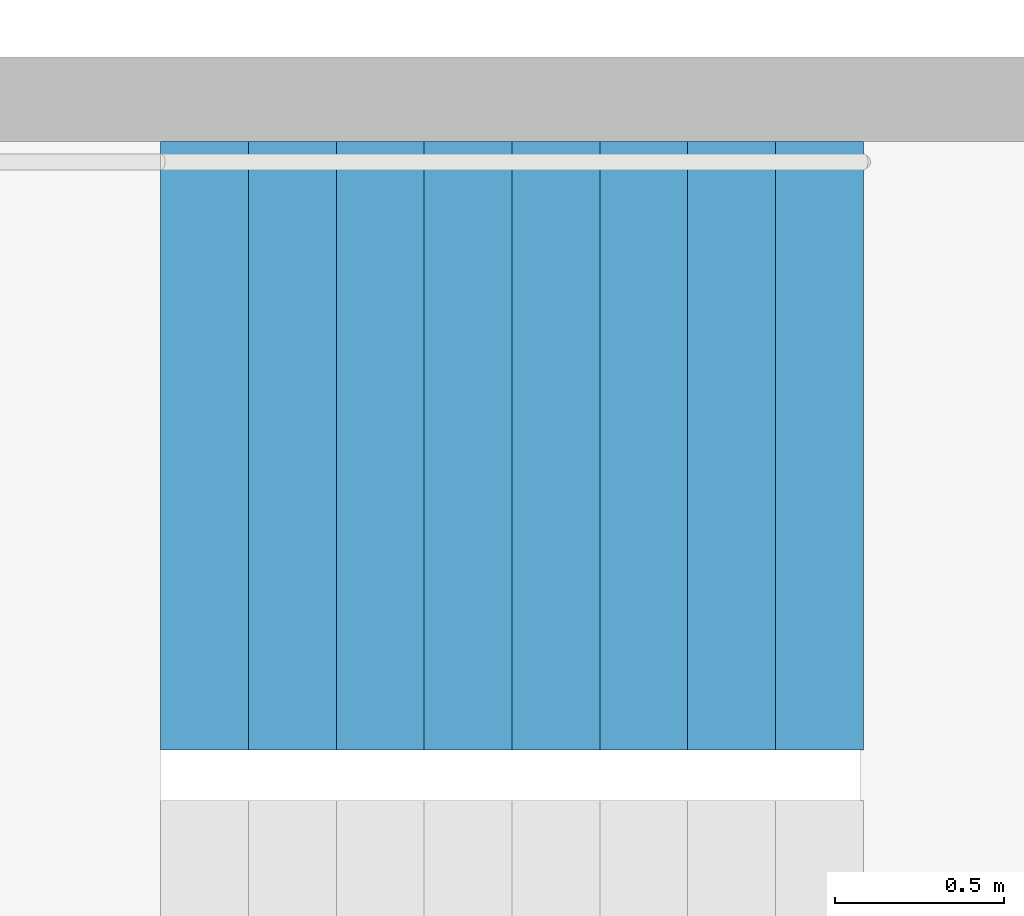
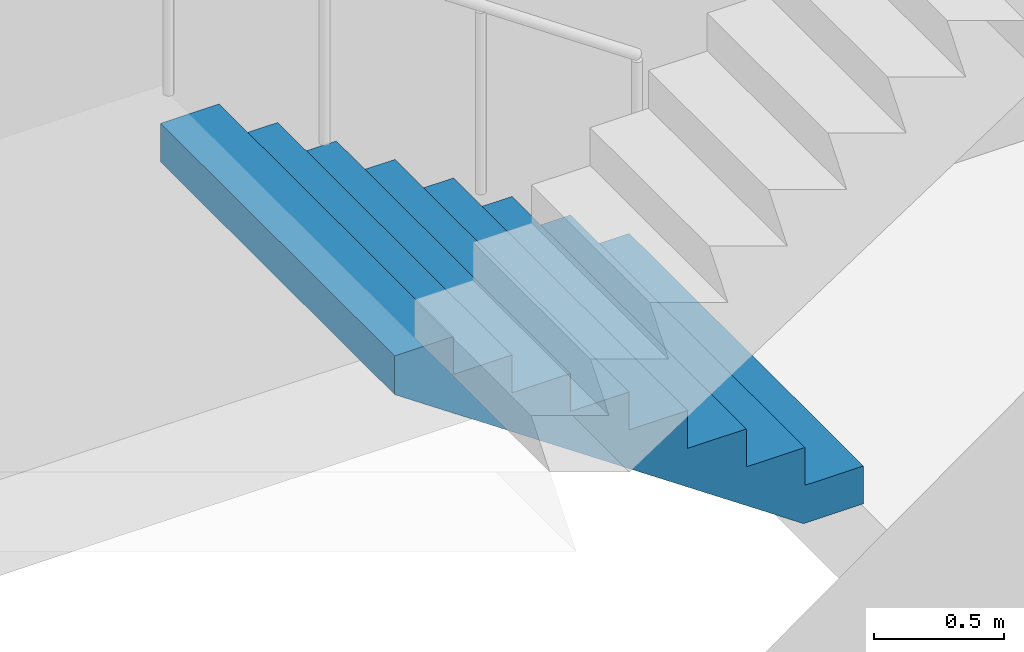
# One storey, part 20 of 27: 1 stair flight, 1 element without a shape of its own.
"""IFC4 building model written with IfcOpenShell, lengths in metres."""

from ifc_helpers import new_model, si_unit, direction, frame, origin, place, context, subcontext, project, spatial, triangles, material, type_object, element, aggregate, save


model = new_model("IFC4")

# Units and contexts
model_context = context("Model", 3, precision=1e-05, world=origin(), true_north=direction((0.0, 1.0)))
body_context = subcontext(model_context, "Body", "Model", "MODEL_VIEW")
ifc_project = project(units=[si_unit("LENGTHUNIT", "METRE"), si_unit("AREAUNIT", "SQUARE_METRE"), si_unit("VOLUMEUNIT", "CUBIC_METRE"), si_unit("PLANEANGLEUNIT", "RADIAN"), si_unit("MASSUNIT", "GRAM", prefix="KILO")], contexts=[model_context])

# Site, building, storey
site_placement = place(None, origin())
site = spatial("IfcSite", under=ifc_project, at=site_placement, CompositionType="ELEMENT")
building_placement = place(site_placement, origin())
building = spatial("IfcBuilding", under=site, at=building_placement, Name="Hakoniwa Tower and Hamabe Station Hall", CompositionType="ELEMENT")
storey_placement = place(building_placement, frame((0.0, 0.0, 242.199951171875)))
storey = spatial("IfcBuildingStorey", under=building, at=storey_placement, Name="L68", CompositionType="ELEMENT", Elevation=242.199951171875)

# Stair, stair flight
ifc_material_1 = material(Name="Concrete C40", Category="concrete")
stair_type = type_object("IfcStairType", Name="ESCAPE STAIR 1800", PredefinedType="HALF_TURN_STAIR", material=ifc_material_1)
stair_placement = place(storey_placement, origin())
stair = element("IfcStair", 1, at=stair_placement, inside=storey, type_object=stair_type, Name="Escape stair ST-2 L68", PredefinedType="HALF_TURN_STAIR")
ifc_material_2 = material(Name="Concrete C40", Category="concrete")
stair_flight_type = type_object("IfcStairFlightType", Name="STAIR FLIGHT 1800", PredefinedType="STRAIGHT", material=ifc_material_2)
stair_flight_placement = place(storey_placement, frame((-23.39990234375, -4.64990234375, 0.0), z_axis=(0.0, 0.0, 1.0), x_axis=(-1.0, 0.0, 0.0)))
stair_flight = element("IfcStairFlight", 2, at=stair_flight_placement, type_object=stair_flight_type, Name="ST-2 flight 1", NumberOfRisers=9, NumberOfTreads=8, PredefinedType="STRAIGHT", RiserHeight=0.177777778, TreadLength=0.26, context=body_context, shape_type="Tessellation", body=[
    triangles([(0.0, 0.89990234375, 0.0), (0.260009765625, 0.89990234375, 0.0), (0.265625, 0.89990234375, 0.0), (0.52001953125, 0.89990234375, 0.174072265625), (0.780029296875, 0.89990234375, 0.351806640625), (1.0400390625, 0.89990234375, 0.529541015625), (1.300048828125, 0.89990234375, 0.707275390625), (1.56005859375, 0.89990234375, 0.885009765625), (1.820068359375, 0.89990234375, 1.062744140625), (2.080078125, 0.89990234375, 1.24072265625), (2.080078125, 0.89990234375, 1.422119140625), (1.820068359375, 0.89990234375, 1.422119140625), (1.820068359375, 0.89990234375, 1.244384765625), (1.56005859375, 0.89990234375, 1.244384765625), (1.56005859375, 0.89990234375, 1.066650390625), (1.300048828125, 0.89990234375, 1.066650390625), (1.300048828125, 0.89990234375, 0.888916015625), (1.0400390625, 0.89990234375, 0.888916015625), (1.0400390625, 0.89990234375, 0.711181640625), (0.780029296875, 0.89990234375, 0.711181640625), (0.780029296875, 0.89990234375, 0.533447265625), (0.52001953125, 0.89990234375, 0.533447265625), (0.52001953125, 0.89990234375, 0.35546875), (0.265625, 0.89990234375, 0.35546875), (0.260009765625, 0.89990234375, 0.35546875), (0.260009765625, 0.89990234375, 0.177734375), (0.0, 0.89990234375, 0.177734375), (0.0, 0.06005859375, 0.0), (0.260009765625, 0.06005859375, 0.0), (0.265625, 0.06005859375, 0.0), (0.52001953125, 0.06005859375, 0.174072265625), (0.780029296875, 0.06005859375, 0.351806640625), (1.0400390625, 0.06005859375, 0.529541015625), (1.300048828125, 0.06005859375, 0.707275390625), (1.56005859375, 0.06005859375, 0.885009765625), (1.820068359375, 0.06005859375, 1.062744140625), (2.080078125, 0.06005859375, 1.24072265625), (2.080078125, 0.06005859375, 1.422119140625), (1.820068359375, 0.06005859375, 1.422119140625), (1.820068359375, 0.06005859375, 1.244384765625), (1.56005859375, 0.06005859375, 1.244384765625), (1.56005859375, 0.06005859375, 1.066650390625), (1.300048828125, 0.06005859375, 1.066650390625), (1.300048828125, 0.06005859375, 0.888916015625), (1.0400390625, 0.06005859375, 0.888916015625), (1.0400390625, 0.06005859375, 0.711181640625), (0.780029296875, 0.06005859375, 0.711181640625), (0.780029296875, 0.06005859375, 0.533447265625), (0.52001953125, 0.06005859375, 0.533447265625), (0.52001953125, 0.06005859375, 0.35546875), (0.265625, 0.06005859375, 0.35546875), (0.260009765625, 0.06005859375, 0.35546875), (0.260009765625, 0.06005859375, 0.177734375), (0.0, 0.06005859375, 0.177734375), (0.0, 0.04296875, 0.0), (0.260009765625, 0.04296875, 0.0), (0.265625, 0.04296875, 0.0), (0.52001953125, 0.04296875, 0.174072265625), (0.780029296875, 0.04296875, 0.351806640625), (1.0400390625, 0.04296875, 0.529541015625), (1.300048828125, 0.04296875, 0.707275390625), (1.56005859375, 0.04296875, 0.885009765625), (1.820068359375, 0.04296875, 1.062744140625), (2.080078125, 0.04296875, 1.24072265625), (2.080078125, 0.04296875, 1.422119140625), (1.820068359375, 0.04296875, 1.422119140625), (1.820068359375, 0.04296875, 1.244384765625), (1.56005859375, 0.04296875, 1.244384765625), (1.56005859375, 0.04296875, 1.066650390625), (1.300048828125, 0.04296875, 1.066650390625), (1.300048828125, 0.04296875, 0.888916015625), (1.0400390625, 0.04296875, 0.888916015625), (1.0400390625, 0.04296875, 0.711181640625), (0.780029296875, 0.04296875, 0.711181640625), (0.780029296875, 0.04296875, 0.533447265625), (0.52001953125, 0.04296875, 0.533447265625), (0.52001953125, 0.04296875, 0.35546875), (0.265625, 0.04296875, 0.35546875), (0.260009765625, 0.04296875, 0.35546875), (0.260009765625, 0.04296875, 0.177734375), (0.0, 0.04296875, 0.177734375), (0.0, 0.025634765625, 0.0), (0.260009765625, 0.025634765625, 0.0), (0.265625, 0.025634765625, 0.0), (0.52001953125, 0.025634765625, 0.174072265625), (0.780029296875, 0.025634765625, 0.351806640625), (1.0400390625, 0.025634765625, 0.529541015625), (1.300048828125, 0.025634765625, 0.707275390625), (1.56005859375, 0.025634765625, 0.885009765625), (1.820068359375, 0.025634765625, 1.062744140625), (2.080078125, 0.025634765625, 1.24072265625), (2.080078125, 0.025634765625, 1.422119140625), (1.820068359375, 0.025634765625, 1.422119140625), (1.820068359375, 0.025634765625, 1.244384765625), (1.56005859375, 0.025634765625, 1.244384765625), (1.56005859375, 0.025634765625, 1.066650390625), (1.300048828125, 0.025634765625, 1.066650390625), (1.300048828125, 0.025634765625, 0.888916015625), (1.0400390625, 0.025634765625, 0.888916015625), (1.0400390625, 0.025634765625, 0.711181640625), (0.780029296875, 0.025634765625, 0.711181640625), (0.780029296875, 0.025634765625, 0.533447265625), (0.52001953125, 0.025634765625, 0.533447265625), (0.52001953125, 0.025634765625, 0.35546875), (0.265625, 0.025634765625, 0.35546875), (0.260009765625, 0.025634765625, 0.35546875), (0.260009765625, 0.025634765625, 0.177734375), (0.0, 0.025634765625, 0.177734375), (0.0, 0.008544921875, 0.0), (0.260009765625, 0.008544921875, 0.0), (0.265625, 0.008544921875, 0.0), (0.52001953125, 0.008544921875, 0.174072265625), (0.780029296875, 0.008544921875, 0.351806640625), (1.0400390625, 0.008544921875, 0.529541015625), (1.300048828125, 0.008544921875, 0.707275390625), (1.56005859375, 0.008544921875, 0.885009765625), (1.820068359375, 0.008544921875, 1.062744140625), (2.080078125, 0.008544921875, 1.24072265625), (2.080078125, 0.008544921875, 1.422119140625), (1.820068359375, 0.008544921875, 1.422119140625), (1.820068359375, 0.008544921875, 1.244384765625), (1.56005859375, 0.008544921875, 1.244384765625), (1.56005859375, 0.008544921875, 1.066650390625), (1.300048828125, 0.008544921875, 1.066650390625), (1.300048828125, 0.008544921875, 0.888916015625), (1.0400390625, 0.008544921875, 0.888916015625), (1.0400390625, 0.008544921875, 0.711181640625), (0.780029296875, 0.008544921875, 0.711181640625), (0.780029296875, 0.008544921875, 0.533447265625), (0.52001953125, 0.008544921875, 0.533447265625), (0.52001953125, 0.008544921875, 0.35546875), (0.265625, 0.008544921875, 0.35546875), (0.260009765625, 0.008544921875, 0.35546875), (0.260009765625, 0.008544921875, 0.177734375), (0.0, 0.008544921875, 0.177734375), (0.0, -0.008544921875, 0.0), (0.260009765625, -0.008544921875, 0.0), (0.265625, -0.008544921875, 0.0), (0.52001953125, -0.008544921875, 0.174072265625), (0.780029296875, -0.008544921875, 0.351806640625), (1.0400390625, -0.008544921875, 0.529541015625), (1.300048828125, -0.008544921875, 0.707275390625), (1.56005859375, -0.008544921875, 0.885009765625), (1.820068359375, -0.008544921875, 1.062744140625), (2.080078125, -0.008544921875, 1.24072265625), (2.080078125, -0.008544921875, 1.422119140625), (1.820068359375, -0.008544921875, 1.422119140625), (1.820068359375, -0.008544921875, 1.244384765625), (1.56005859375, -0.008544921875, 1.244384765625), (1.56005859375, -0.008544921875, 1.066650390625), (1.300048828125, -0.008544921875, 1.066650390625), (1.300048828125, -0.008544921875, 0.888916015625), (1.0400390625, -0.008544921875, 0.888916015625), (1.0400390625, -0.008544921875, 0.711181640625), (0.780029296875, -0.008544921875, 0.711181640625), (0.780029296875, -0.008544921875, 0.533447265625), (0.52001953125, -0.008544921875, 0.533447265625), (0.52001953125, -0.008544921875, 0.35546875), (0.265625, -0.008544921875, 0.35546875), (0.260009765625, -0.008544921875, 0.35546875), (0.260009765625, -0.008544921875, 0.177734375), (0.0, -0.008544921875, 0.177734375), (0.0, -0.025634765625, 0.0), (0.260009765625, -0.025634765625, 0.0), (0.265625, -0.025634765625, 0.0), (0.52001953125, -0.025634765625, 0.174072265625), (0.780029296875, -0.025634765625, 0.351806640625), (1.0400390625, -0.025634765625, 0.529541015625), (1.300048828125, -0.025634765625, 0.707275390625), (1.56005859375, -0.025634765625, 0.885009765625), (1.820068359375, -0.025634765625, 1.062744140625), (2.080078125, -0.025634765625, 1.24072265625), (2.080078125, -0.025634765625, 1.422119140625), (1.820068359375, -0.025634765625, 1.422119140625), (1.820068359375, -0.025634765625, 1.244384765625), (1.56005859375, -0.025634765625, 1.244384765625), (1.56005859375, -0.025634765625, 1.066650390625), (1.300048828125, -0.025634765625, 1.066650390625), (1.300048828125, -0.025634765625, 0.888916015625), (1.0400390625, -0.025634765625, 0.888916015625), (1.0400390625, -0.025634765625, 0.711181640625), (0.780029296875, -0.025634765625, 0.711181640625), (0.780029296875, -0.025634765625, 0.533447265625), (0.52001953125, -0.025634765625, 0.533447265625), (0.52001953125, -0.025634765625, 0.35546875), (0.265625, -0.025634765625, 0.35546875), (0.260009765625, -0.025634765625, 0.35546875), (0.260009765625, -0.025634765625, 0.177734375), (0.0, -0.025634765625, 0.177734375), (0.0, -0.04296875, 0.0), (0.260009765625, -0.04296875, 0.0), (0.265625, -0.04296875, 0.0), (0.52001953125, -0.04296875, 0.174072265625), (0.780029296875, -0.04296875, 0.351806640625), (1.0400390625, -0.04296875, 0.529541015625), (1.300048828125, -0.04296875, 0.707275390625), (1.56005859375, -0.04296875, 0.885009765625), (1.820068359375, -0.04296875, 1.062744140625), (2.080078125, -0.04296875, 1.24072265625), (2.080078125, -0.04296875, 1.422119140625), (1.820068359375, -0.04296875, 1.422119140625), (1.820068359375, -0.04296875, 1.244384765625), (1.56005859375, -0.04296875, 1.244384765625), (1.56005859375, -0.04296875, 1.066650390625), (1.300048828125, -0.04296875, 1.066650390625), (1.300048828125, -0.04296875, 0.888916015625), (1.0400390625, -0.04296875, 0.888916015625), (1.0400390625, -0.04296875, 0.711181640625), (0.780029296875, -0.04296875, 0.711181640625), (0.780029296875, -0.04296875, 0.533447265625), (0.52001953125, -0.04296875, 0.533447265625), (0.52001953125, -0.04296875, 0.35546875), (0.265625, -0.04296875, 0.35546875), (0.260009765625, -0.04296875, 0.35546875), (0.260009765625, -0.04296875, 0.177734375), (0.0, -0.04296875, 0.177734375), (0.0, -0.06005859375, 0.0), (0.260009765625, -0.06005859375, 0.0), (0.265625, -0.06005859375, 0.0), (0.52001953125, -0.06005859375, 0.174072265625), (0.780029296875, -0.06005859375, 0.351806640625), (1.0400390625, -0.06005859375, 0.529541015625), (1.300048828125, -0.06005859375, 0.707275390625), (1.56005859375, -0.06005859375, 0.885009765625), (1.820068359375, -0.06005859375, 1.062744140625), (2.080078125, -0.06005859375, 1.24072265625), (2.080078125, -0.06005859375, 1.422119140625), (1.820068359375, -0.06005859375, 1.422119140625), (1.820068359375, -0.06005859375, 1.244384765625), (1.56005859375, -0.06005859375, 1.244384765625), (1.56005859375, -0.06005859375, 1.066650390625), (1.300048828125, -0.06005859375, 1.066650390625), (1.300048828125, -0.06005859375, 0.888916015625), (1.0400390625, -0.06005859375, 0.888916015625), (1.0400390625, -0.06005859375, 0.711181640625), (0.780029296875, -0.06005859375, 0.711181640625), (0.780029296875, -0.06005859375, 0.533447265625), (0.52001953125, -0.06005859375, 0.533447265625), (0.52001953125, -0.06005859375, 0.35546875), (0.265625, -0.06005859375, 0.35546875), (0.260009765625, -0.06005859375, 0.35546875), (0.260009765625, -0.06005859375, 0.177734375), (0.0, -0.06005859375, 0.177734375), (0.0, -0.89990234375, 0.0), (0.260009765625, -0.89990234375, 0.0), (0.265625, -0.89990234375, 0.0), (0.52001953125, -0.89990234375, 0.174072265625), (0.780029296875, -0.89990234375, 0.351806640625), (1.0400390625, -0.89990234375, 0.529541015625), (1.300048828125, -0.89990234375, 0.707275390625), (1.56005859375, -0.89990234375, 0.885009765625), (1.820068359375, -0.89990234375, 1.062744140625), (2.080078125, -0.89990234375, 1.24072265625), (2.080078125, -0.89990234375, 1.422119140625), (1.820068359375, -0.89990234375, 1.422119140625), (1.820068359375, -0.89990234375, 1.244384765625), (1.56005859375, -0.89990234375, 1.244384765625), (1.56005859375, -0.89990234375, 1.066650390625), (1.300048828125, -0.89990234375, 1.066650390625), (1.300048828125, -0.89990234375, 0.888916015625), (1.0400390625, -0.89990234375, 0.888916015625), (1.0400390625, -0.89990234375, 0.711181640625), (0.780029296875, -0.89990234375, 0.711181640625), (0.780029296875, -0.89990234375, 0.533447265625), (0.52001953125, -0.89990234375, 0.533447265625), (0.52001953125, -0.89990234375, 0.35546875), (0.265625, -0.89990234375, 0.35546875), (0.260009765625, -0.89990234375, 0.35546875), (0.260009765625, -0.89990234375, 0.177734375), (0.0, -0.89990234375, 0.177734375)], [[2, 27, 26], [245, 269, 270], [2, 1, 27], [245, 270, 244], [3, 25, 24], [246, 267, 268], [3, 26, 25], [246, 268, 269], [3, 2, 26], [246, 269, 245], [4, 24, 23], [247, 266, 267], [4, 3, 24], [247, 267, 246], [5, 22, 21], [248, 264, 265], [5, 23, 22], [248, 265, 266], [5, 4, 23], [248, 266, 247], [6, 20, 19], [249, 262, 263], [6, 21, 20], [249, 263, 264], [6, 5, 21], [249, 264, 248], [7, 18, 17], [250, 260, 261], [7, 19, 18], [250, 261, 262], [7, 6, 19], [250, 262, 249], [8, 16, 15], [251, 258, 259], [8, 17, 16], [251, 259, 260], [8, 7, 17], [251, 260, 250], [9, 14, 13], [252, 256, 257], [9, 15, 14], [252, 257, 258], [9, 8, 15], [252, 258, 251], [10, 12, 11], [253, 254, 255], [10, 13, 12], [253, 255, 256], [10, 9, 13], [253, 256, 252], [1, 2, 29], [1, 29, 28], [28, 29, 56], [28, 56, 55], [55, 56, 83], [55, 83, 82], [82, 83, 110], [82, 110, 109], [109, 110, 137], [109, 137, 136], [136, 137, 164], [136, 164, 163], [163, 164, 191], [163, 191, 190], [190, 191, 218], [190, 218, 217], [217, 218, 245], [217, 245, 244], [2, 3, 30], [2, 30, 29], [29, 30, 57], [29, 57, 56], [56, 57, 84], [56, 84, 83], [83, 84, 111], [83, 111, 110], [110, 111, 138], [110, 138, 137], [137, 138, 165], [137, 165, 164], [164, 165, 192], [164, 192, 191], [191, 192, 219], [191, 219, 218], [218, 219, 246], [218, 246, 245], [3, 4, 31], [3, 31, 30], [30, 31, 58], [30, 58, 57], [57, 58, 85], [57, 85, 84], [84, 85, 112], [84, 112, 111], [111, 112, 139], [111, 139, 138], [138, 139, 166], [138, 166, 165], [165, 166, 193], [165, 193, 192], [192, 193, 220], [192, 220, 219], [219, 220, 247], [219, 247, 246], [4, 5, 32], [4, 32, 31], [31, 32, 59], [31, 59, 58], [58, 59, 86], [58, 86, 85], [85, 86, 113], [85, 113, 112], [112, 113, 140], [112, 140, 139], [139, 140, 167], [139, 167, 166], [166, 167, 194], [166, 194, 193], [193, 194, 221], [193, 221, 220], [220, 221, 248], [220, 248, 247], [5, 6, 33], [5, 33, 32], [32, 33, 60], [32, 60, 59], [59, 60, 87], [59, 87, 86], [86, 87, 114], [86, 114, 113], [113, 114, 141], [113, 141, 140], [140, 141, 168], [140, 168, 167], [167, 168, 195], [167, 195, 194], [194, 195, 222], [194, 222, 221], [221, 222, 249], [221, 249, 248], [6, 7, 34], [6, 34, 33], [33, 34, 61], [33, 61, 60], [60, 61, 88], [60, 88, 87], [87, 88, 115], [87, 115, 114], [114, 115, 142], [114, 142, 141], [141, 142, 169], [141, 169, 168], [168, 169, 196], [168, 196, 195], [195, 196, 223], [195, 223, 222], [222, 223, 250], [222, 250, 249], [7, 8, 35], [7, 35, 34], [34, 35, 62], [34, 62, 61], [61, 62, 89], [61, 89, 88], [88, 89, 116], [88, 116, 115], [115, 116, 143], [115, 143, 142], [142, 143, 170], [142, 170, 169], [169, 170, 197], [169, 197, 196], [196, 197, 224], [196, 224, 223], [223, 224, 251], [223, 251, 250], [8, 9, 36], [8, 36, 35], [35, 36, 63], [35, 63, 62], [62, 63, 90], [62, 90, 89], [89, 90, 117], [89, 117, 116], [116, 117, 144], [116, 144, 143], [143, 144, 171], [143, 171, 170], [170, 171, 198], [170, 198, 197], [197, 198, 225], [197, 225, 224], [224, 225, 252], [224, 252, 251], [9, 10, 37], [9, 37, 36], [36, 37, 64], [36, 64, 63], [63, 64, 91], [63, 91, 90], [90, 91, 118], [90, 118, 117], [117, 118, 145], [117, 145, 144], [144, 145, 172], [144, 172, 171], [171, 172, 199], [171, 199, 198], [198, 199, 226], [198, 226, 225], [225, 226, 253], [225, 253, 252], [10, 11, 38], [10, 38, 37], [37, 38, 65], [37, 65, 64], [64, 65, 92], [64, 92, 91], [91, 92, 119], [91, 119, 118], [118, 119, 146], [118, 146, 145], [145, 146, 173], [145, 173, 172], [172, 173, 200], [172, 200, 199], [199, 200, 227], [199, 227, 226], [226, 227, 254], [226, 254, 253], [11, 12, 39], [11, 39, 38], [38, 39, 66], [38, 66, 65], [65, 66, 93], [65, 93, 92], [92, 93, 120], [92, 120, 119], [119, 120, 147], [119, 147, 146], [146, 147, 174], [146, 174, 173], [173, 174, 201], [173, 201, 200], [200, 201, 228], [200, 228, 227], [227, 228, 255], [227, 255, 254], [12, 13, 40], [12, 40, 39], [39, 40, 67], [39, 67, 66], [66, 67, 94], [66, 94, 93], [93, 94, 121], [93, 121, 120], [120, 121, 148], [120, 148, 147], [147, 148, 175], [147, 175, 174], [174, 175, 202], [174, 202, 201], [201, 202, 229], [201, 229, 228], [228, 229, 256], [228, 256, 255], [13, 14, 41], [13, 41, 40], [40, 41, 68], [40, 68, 67], [67, 68, 95], [67, 95, 94], [94, 95, 122], [94, 122, 121], [121, 122, 149], [121, 149, 148], [148, 149, 176], [148, 176, 175], [175, 176, 203], [175, 203, 202], [202, 203, 230], [202, 230, 229], [229, 230, 257], [229, 257, 256], [14, 15, 42], [14, 42, 41], [41, 42, 69], [41, 69, 68], [68, 69, 96], [68, 96, 95], [95, 96, 123], [95, 123, 122], [122, 123, 150], [122, 150, 149], [149, 150, 177], [149, 177, 176], [176, 177, 204], [176, 204, 203], [203, 204, 231], [203, 231, 230], [230, 231, 258], [230, 258, 257], [15, 16, 43], [15, 43, 42], [42, 43, 70], [42, 70, 69], [69, 70, 97], [69, 97, 96], [96, 97, 124], [96, 124, 123], [123, 124, 151], [123, 151, 150], [150, 151, 178], [150, 178, 177], [177, 178, 205], [177, 205, 204], [204, 205, 232], [204, 232, 231], [231, 232, 259], [231, 259, 258], [16, 17, 44], [16, 44, 43], [43, 44, 71], [43, 71, 70], [70, 71, 98], [70, 98, 97], [97, 98, 125], [97, 125, 124], [124, 125, 152], [124, 152, 151], [151, 152, 179], [151, 179, 178], [178, 179, 206], [178, 206, 205], [205, 206, 233], [205, 233, 232], [232, 233, 260], [232, 260, 259], [17, 18, 45], [17, 45, 44], [44, 45, 72], [44, 72, 71], [71, 72, 99], [71, 99, 98], [98, 99, 126], [98, 126, 125], [125, 126, 153], [125, 153, 152], [152, 153, 180], [152, 180, 179], [179, 180, 207], [179, 207, 206], [206, 207, 234], [206, 234, 233], [233, 234, 261], [233, 261, 260], [18, 19, 46], [18, 46, 45], [45, 46, 73], [45, 73, 72], [72, 73, 100], [72, 100, 99], [99, 100, 127], [99, 127, 126], [126, 127, 154], [126, 154, 153], [153, 154, 181], [153, 181, 180], [180, 181, 208], [180, 208, 207], [207, 208, 235], [207, 235, 234], [234, 235, 262], [234, 262, 261], [19, 20, 47], [19, 47, 46], [46, 47, 74], [46, 74, 73], [73, 74, 101], [73, 101, 100], [100, 101, 128], [100, 128, 127], [127, 128, 155], [127, 155, 154], [154, 155, 182], [154, 182, 181], [181, 182, 209], [181, 209, 208], [208, 209, 236], [208, 236, 235], [235, 236, 263], [235, 263, 262], [20, 21, 48], [20, 48, 47], [47, 48, 75], [47, 75, 74], [74, 75, 102], [74, 102, 101], [101, 102, 129], [101, 129, 128], [128, 129, 156], [128, 156, 155], [155, 156, 183], [155, 183, 182], [182, 183, 210], [182, 210, 209], [209, 210, 237], [209, 237, 236], [236, 237, 264], [236, 264, 263], [21, 22, 49], [21, 49, 48], [48, 49, 76], [48, 76, 75], [75, 76, 103], [75, 103, 102], [102, 103, 130], [102, 130, 129], [129, 130, 157], [129, 157, 156], [156, 157, 184], [156, 184, 183], [183, 184, 211], [183, 211, 210], [210, 211, 238], [210, 238, 237], [237, 238, 265], [237, 265, 264], [22, 23, 50], [22, 50, 49], [49, 50, 77], [49, 77, 76], [76, 77, 104], [76, 104, 103], [103, 104, 131], [103, 131, 130], [130, 131, 158], [130, 158, 157], [157, 158, 185], [157, 185, 184], [184, 185, 212], [184, 212, 211], [211, 212, 239], [211, 239, 238], [238, 239, 266], [238, 266, 265], [23, 24, 51], [23, 51, 50], [50, 51, 78], [50, 78, 77], [77, 78, 105], [77, 105, 104], [104, 105, 132], [104, 132, 131], [131, 132, 159], [131, 159, 158], [158, 159, 186], [158, 186, 185], [185, 186, 213], [185, 213, 212], [212, 213, 240], [212, 240, 239], [239, 240, 267], [239, 267, 266], [24, 25, 52], [24, 52, 51], [51, 52, 79], [51, 79, 78], [78, 79, 106], [78, 106, 105], [105, 106, 133], [105, 133, 132], [132, 133, 160], [132, 160, 159], [159, 160, 187], [159, 187, 186], [186, 187, 214], [186, 214, 213], [213, 214, 241], [213, 241, 240], [240, 241, 268], [240, 268, 267], [25, 26, 53], [25, 53, 52], [52, 53, 80], [52, 80, 79], [79, 80, 107], [79, 107, 106], [106, 107, 134], [106, 134, 133], [133, 134, 161], [133, 161, 160], [160, 161, 188], [160, 188, 187], [187, 188, 215], [187, 215, 214], [214, 215, 242], [214, 242, 241], [241, 242, 269], [241, 269, 268], [26, 27, 54], [26, 54, 53], [53, 54, 81], [53, 81, 80], [80, 81, 108], [80, 108, 107], [107, 108, 135], [107, 135, 134], [134, 135, 162], [134, 162, 161], [161, 162, 189], [161, 189, 188], [188, 189, 216], [188, 216, 215], [215, 216, 243], [215, 243, 242], [242, 243, 270], [242, 270, 269], [27, 1, 28], [27, 28, 54], [54, 28, 55], [54, 55, 81], [81, 55, 82], [81, 82, 108], [108, 82, 109], [108, 109, 135], [135, 109, 136], [135, 136, 162], [162, 136, 163], [162, 163, 189], [189, 163, 190], [189, 190, 216], [216, 190, 217], [216, 217, 243], [243, 217, 244], [243, 244, 270]], closed=True),
])
aggregate(stair, [stair_flight])

save(model, "model.ifc")
